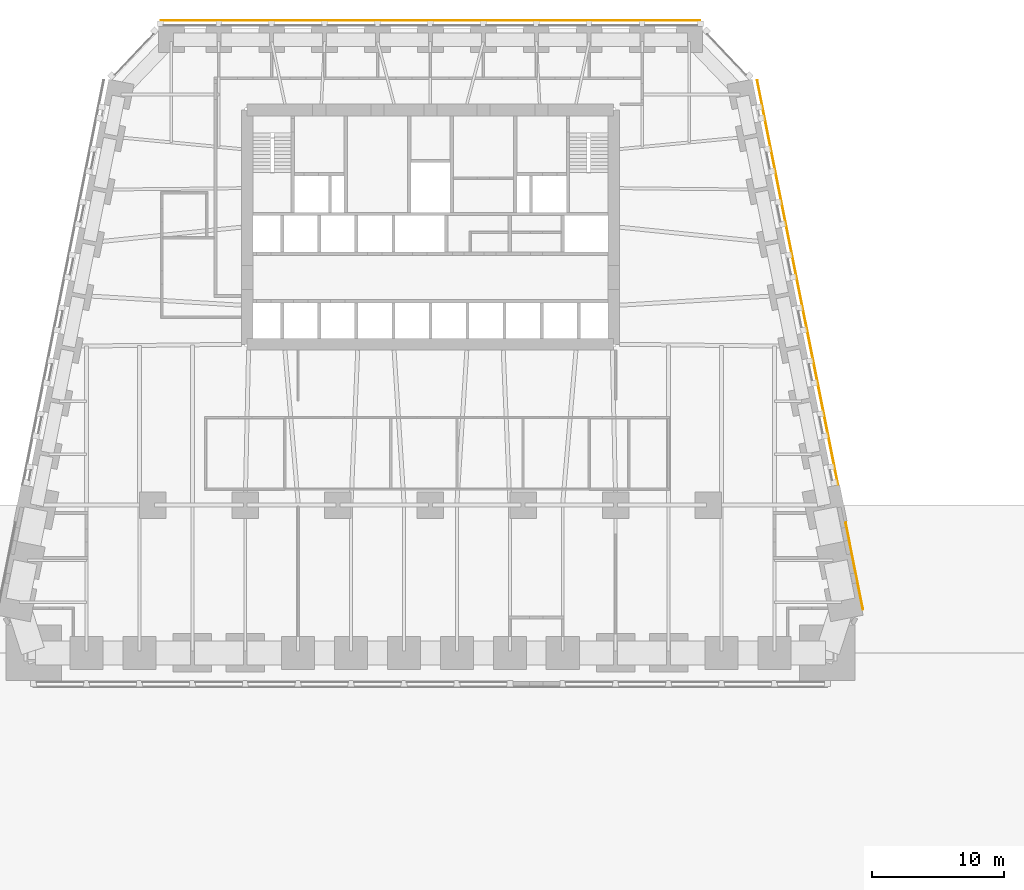
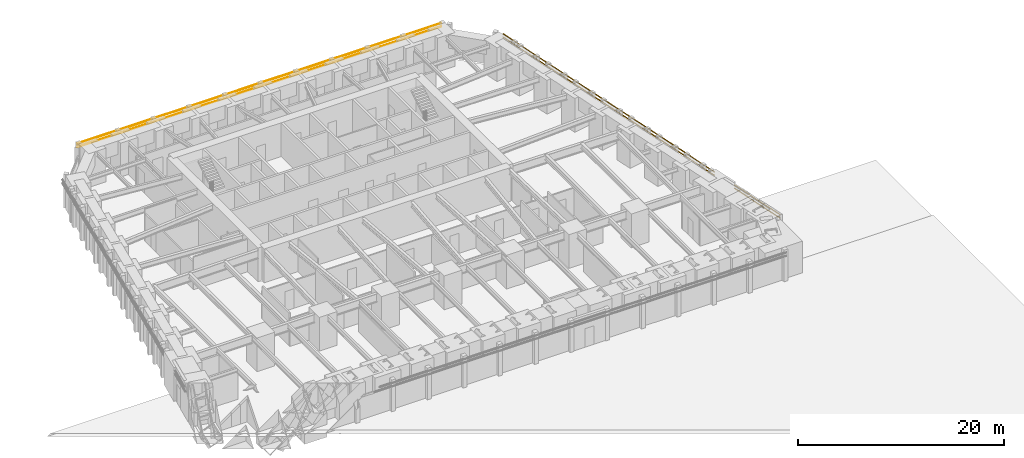
# One storey, part 18 of 18: 6 shading devices.
"""IFC4 building model written with IfcOpenShell, lengths in metres."""

from ifc_helpers import new_model, si_unit, direction, frame, origin, origin_2d, place, context, subcontext, project, spatial, rectangle, extrude, material, material_profile, profile_set, type_object, element, save


model = new_model("IFC4")

# Units and contexts
model_context = context("Model", 3, precision=1e-05, world=origin(), true_north=direction((0.0, 1.0)))
body_context = subcontext(model_context, "Body", "Model", "MODEL_VIEW")
ifc_project = project(units=[si_unit("LENGTHUNIT", "METRE"), si_unit("AREAUNIT", "SQUARE_METRE"), si_unit("VOLUMEUNIT", "CUBIC_METRE"), si_unit("PLANEANGLEUNIT", "RADIAN"), si_unit("MASSUNIT", "GRAM", prefix="KILO")], contexts=[model_context])

# Site, building, storey
site_placement = place(None, origin())
site = spatial("IfcSite", under=ifc_project, at=site_placement, CompositionType="ELEMENT")
building_placement = place(site_placement, origin())
building = spatial("IfcBuilding", under=site, at=building_placement, Name="Isbrekke Arena Tower", CompositionType="ELEMENT")
storey_placement = place(building_placement, frame((0.0, 0.0, 28.0)))
storey = spatial("IfcBuildingStorey", under=building, at=storey_placement, Name="L04", CompositionType="ELEMENT", Elevation=28.0)

# Shading devices
ifc_material = material(Name="Terracotta", Category="masonry")
ifc_material_profile = material_profile(ifc_material, rectangle(XDim=0.06005859375, YDim=0.06005859375, at=origin_2d()), Name="BAGUETTE 60X60")
ifc_profile_set = profile_set([ifc_material_profile], Name="Terracotta")
shading_device_type = type_object("IfcShadingDeviceType", Name="BG1 TERRACOTTA BAGUETTE 60 x 60", PredefinedType="USERDEFINED", material=ifc_profile_set)
shading_device_1_placement = place(storey_placement, frame((32.6953125, -13.90087890625, 3.280029296875), z_axis=(-0.196123133832, 0.980579275926, 0.0), x_axis=(-0.980579275926, -0.196123133832, 0.0)))
element("IfcShadingDevice", 1, at=shading_device_1_placement, inside=storey, type_object=shading_device_type, Name="BG1 terracotta baguette E1 L04", ObjectType="TERRACOTTA BAGUETTE", PredefinedType="USERDEFINED", context=body_context, shape_type="SweptSolid", body=[
    extrude(rectangle(XDim=0.06005859375, YDim=0.06005859375, at=origin_2d()), origin(), (0.0, 0.0, 1.0), 6.70849609375),
])
shading_device_2_placement = place(storey_placement, frame((30.810791015625, -4.47900390625, 3.280029296875), z_axis=(-0.196111618336, 0.98058157904, 0.0), x_axis=(-0.98058157904, -0.196111618336, 0.0)))
element("IfcShadingDevice", 2, at=shading_device_2_placement, inside=storey, type_object=shading_device_type, Name="BG1 terracotta baguette E1-2 L04", ObjectType="TERRACOTTA BAGUETTE", PredefinedType="USERDEFINED", context=body_context, shape_type="SweptSolid", body=[
    extrude(rectangle(XDim=0.06005859375, YDim=0.06005859375, at=origin_2d()), origin(), (0.0, 0.0, 1.0), 31.18359375),
])
shading_device_3_placement = place(storey_placement, frame((32.6953125, -13.90087890625, 3.679931640625), z_axis=(-0.196123133832, 0.980579275926, 0.0), x_axis=(-0.980579275926, -0.196123133832, 0.0)))
element("IfcShadingDevice", 3, at=shading_device_3_placement, inside=storey, type_object=shading_device_type, Name="BG1 terracotta baguette E2 L04", ObjectType="TERRACOTTA BAGUETTE", PredefinedType="USERDEFINED", context=body_context, shape_type="SweptSolid", body=[
    extrude(rectangle(XDim=0.06005859375, YDim=0.06005859375, at=origin_2d()), origin(), (0.0, 0.0, 1.0), 6.70849609375),
])
shading_device_4_placement = place(storey_placement, frame((30.810791015625, -4.47900390625, 3.679931640625), z_axis=(-0.196111618336, 0.98058157904, 0.0), x_axis=(-0.98058157904, -0.196111618336, 0.0)))
element("IfcShadingDevice", 4, at=shading_device_4_placement, inside=storey, type_object=shading_device_type, Name="BG1 terracotta baguette E2-2 L04", ObjectType="TERRACOTTA BAGUETTE", PredefinedType="USERDEFINED", context=body_context, shape_type="SweptSolid", body=[
    extrude(rectangle(XDim=0.06005859375, YDim=0.06005859375, at=origin_2d()), origin(), (0.0, 0.0, 1.0), 31.18359375),
])
for number, where, z_axis, x_axis, name in (
    (5, (20.39990234375, 30.6298828125, 3.280029296875), (-1.0, 0.0, 0.0), (0.0, -1.0, 0.0), "BG1 terracotta baguette N1 L04"),
    (6, (20.39990234375, 30.6298828125, 3.679931640625), (-1.0, 0.0, 0.0), (0.0, -1.0, 0.0), "BG1 terracotta baguette N2 L04"),
):
    element("IfcShadingDevice", number, at=place(storey_placement, frame(where, z_axis=z_axis, x_axis=x_axis)), inside=storey, type_object=shading_device_type, Name=name, ObjectType="TERRACOTTA BAGUETTE", PredefinedType="USERDEFINED", context=body_context, shape_type="SweptSolid", body=[
        extrude(rectangle(XDim=0.06005859375, YDim=0.06005859375, at=origin_2d()), origin(), (0.0, 0.0, 1.0), 40.7998046875),
    ])

save(model, "model.ifc")
